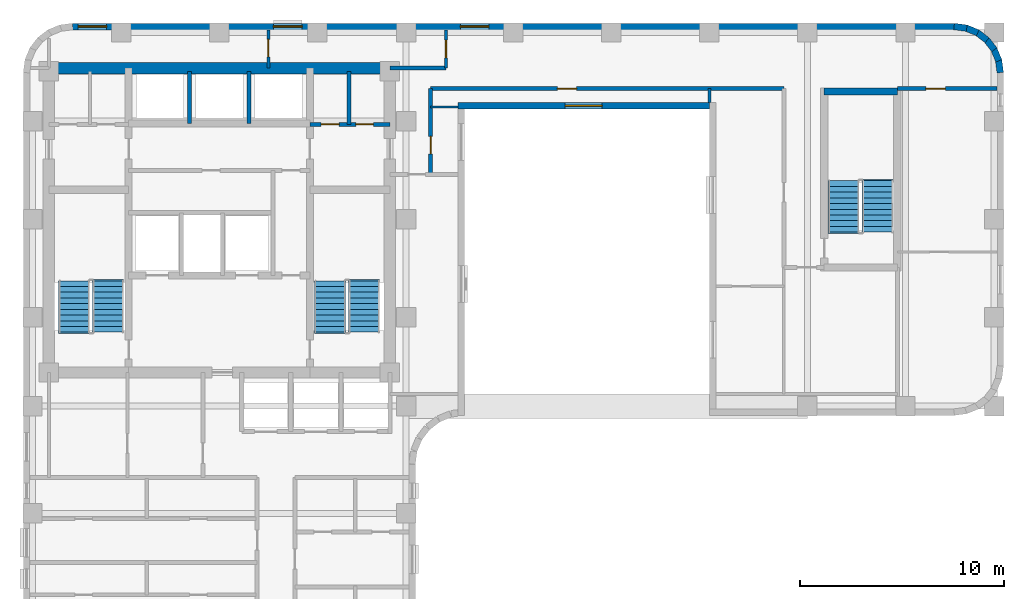
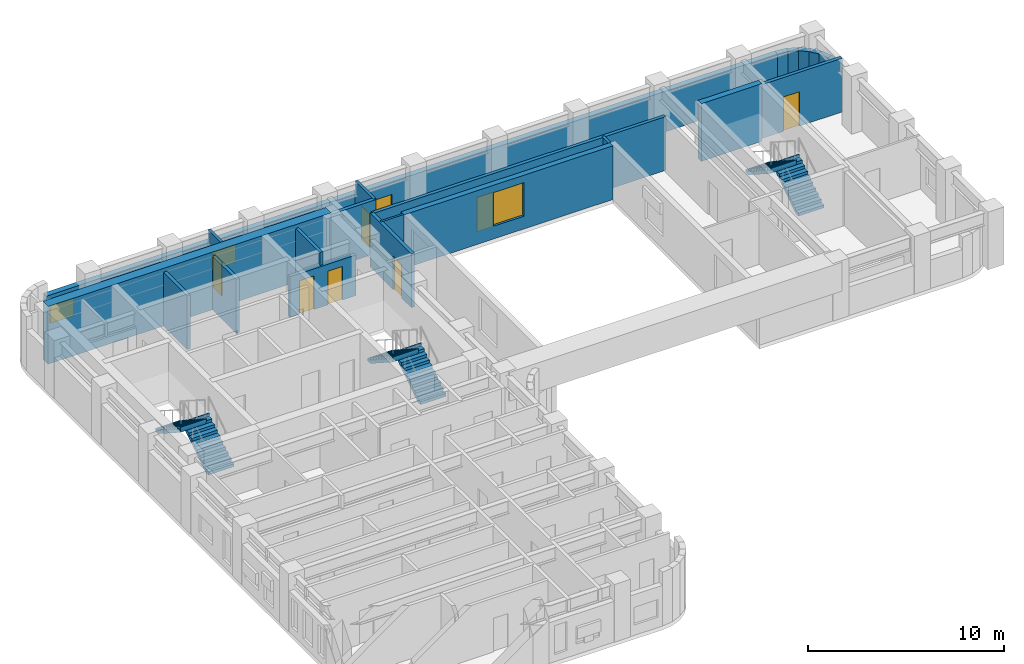
# One storey, part 6 of 8: 22 walls, 7 doors, 6 stair flights, 4 windows, 11 openings, 3 elements without a shape of their own.
"""IFC4 building model written with IfcOpenShell, lengths in metres."""

from ifc_helpers import new_model, si_unit, direction, frame, frame_2d, origin, place, context, subcontext, project, spatial, polyline, rectangle, outline, extrude, material, layer, layer_set, type_object, element, fill, aggregate, save


model = new_model("IFC4")

# Units and contexts
model_context = context("Model", 3, precision=1e-05, world=origin(), true_north=direction((0.0, 1.0)))
body_context = subcontext(model_context, "Body", "Model", "MODEL_VIEW")
ifc_project = project(units=[si_unit("LENGTHUNIT", "METRE"), si_unit("AREAUNIT", "SQUARE_METRE"), si_unit("VOLUMEUNIT", "CUBIC_METRE"), si_unit("PLANEANGLEUNIT", "RADIAN"), si_unit("MASSUNIT", "GRAM", prefix="KILO")], contexts=[model_context])

# Site, building, storey
site_placement = place(None, origin())
site = spatial("IfcSite", under=ifc_project, at=site_placement, CompositionType="ELEMENT")
building_placement = place(site_placement, origin())
building = spatial("IfcBuilding", under=site, at=building_placement, Name="Orvandelia Arch Residences", CompositionType="ELEMENT")
storey_placement = place(building_placement, frame((0.0, 0.0, 107.199951171875)))
storey = spatial("IfcBuildingStorey", under=building, at=storey_placement, Name="L27", CompositionType="ELEMENT", Elevation=107.199951171875)

# Walls
ifc_material_1 = material(Name="Concrete C50/60", Category="concrete")
ifc_layer_1 = layer(ifc_material_1, 0.35009765625, Name="Concrete C50/60", Category="concrete")
ifc_layer_set_1 = layer_set([ifc_layer_1], Name="Concrete C50/60")
wall_type_1 = type_object("IfcWallType", Name="WL-CORE-350", PredefinedType="SHEAR", material=ifc_layer_set_1)
wall_1_placement = place(storey_placement, frame((44.02001953125, 44.659912109375, 0.0), z_axis=(0.0, 0.0, 1.0), x_axis=(1.0, 0.0, 0.0)))
element("IfcWall", 1, at=wall_1_placement, inside=storey, type_object=wall_type_1, Name="East Stair Core Shear Wall L27-N", PredefinedType="SHEAR", context=body_context, shape_type="SweptSolid", body=[
    extrude(rectangle(XDim=3.580078125, YDim=0.35009765625, at=frame_2d((1.7900390625, 0.0))), origin(), (0.0, 0.0, 1.0), 3.60009765625),
])
ifc_material_2 = material(Name="Concrete C60/75", Category="concrete")
ifc_layer_2 = layer(ifc_material_2, 0.550048828125, Name="Concrete C60/75", Category="concrete")
ifc_layer_set_2 = layer_set([ifc_layer_2], Name="Concrete C60/75")
wall_type_2 = type_object("IfcWallType", Name="WL-CORE-550", PredefinedType="SHEAR", material=ifc_layer_set_2)
wall_2_placement = place(storey_placement, frame((6.050048828125, 45.800048828125, 0.0), z_axis=(0.0, 0.0, 1.0), x_axis=(1.0, 0.0, 0.0)))
element("IfcWall", 2, at=wall_2_placement, inside=storey, type_object=wall_type_2, Name="Core Shear Wall L27-N", PredefinedType="SHEAR", context=body_context, shape_type="SweptSolid", body=[
    extrude(rectangle(XDim=16.699951171875, YDim=0.550048828125, at=frame_2d((8.35009765625, 0.0))), origin(), (0.0, 0.0, 1.0), 3.60009765625),
])
ifc_material_3 = material(Name="Fire-Rated Corridor Partition")
ifc_layer_3 = layer(ifc_material_3, 0.199951171875, Name="Fire-Rated Corridor Partition")
ifc_layer_set_3 = layer_set([ifc_layer_3], Name="Fire-Rated Corridor Partition")
wall_type_3 = type_object("IfcWallType", Name="WL-CORR-200", PredefinedType="PARTITIONING", material=ifc_layer_set_3)
wall_3_placement = place(storey_placement, frame((22.75, 45.800048828125, 0.0), z_axis=(0.0, 0.0, 1.0), x_axis=(1.0, 0.0, 0.0)))
element("IfcWall", 3, at=wall_3_placement, inside=storey, type_object=wall_type_3, Name="Interior Partition Wall WL-L27-NCE-S", PredefinedType="PARTITIONING", context=body_context, shape_type="SweptSolid", body=[
    extrude(rectangle(XDim=2.75, YDim=0.199951171875, at=frame_2d((1.375, 0.0))), origin(), (0.0, 0.0, 1.0), 3.360107421875),
])

# Wall, opening, door
wall_4_placement = place(storey_placement, frame((24.75, 44.800048828125, 0.0), z_axis=(0.0, 0.0, 1.0), x_axis=(1.0, 0.0, 0.0)))
wall_4 = element("IfcWall", 4, at=wall_4_placement, inside=storey, type_object=wall_type_3, Name="Interior Partition Wall WL-L27-ENP-S1", PredefinedType="PARTITIONING", context=body_context, shape_type="SweptSolid", body=[
    extrude(rectangle(XDim=17.300048828125, YDim=0.199951171875, at=frame_2d((8.64990234375, 0.0))), origin(), (0.0, 0.0, 1.0), 3.360107421875),
])
opening_1_placement = place(wall_4_placement, frame((6.199951171875, 0.0, 0.0)))
opening_1 = element("IfcOpeningElement", 5, at=opening_1_placement, cuts=wall_4, Name="Opening D2", PredefinedType="OPENING", context=body_context, shape_type="SweptSolid", body=[
    extrude(rectangle(XDim=0.949951171875, YDim=2.14990234375, at=frame_2d((0.47509765625, 1.074951171875))), frame((0.0, 0.10986328125, 0.0), z_axis=(0.0, -1.0, 0.0), x_axis=(1.0, 0.0, 0.0)), (0.0, 0.0, 1.0), 0.219970703125),
])
ifc_material_4 = material(Name="Solid-Core Timber Interior Fire Door", Category="wood")
door_type_1 = type_object("IfcDoorType", Name="DR-APT-950", OperationType="NOTDEFINED", PredefinedType="DOOR", material=ifc_material_4)
door_1_placement = place(opening_1_placement, origin())
door_1 = element("IfcDoor", 6, at=door_1_placement, inside=storey, type_object=door_type_1, Name="DR-L27-VPBRG", OperationType="SINGLE_SWING_LEFT", OverallHeight=2.14990234375, OverallWidth=0.949951171875, PredefinedType="DOOR", context=body_context, shape_type="SweptSolid", body=[
    extrude(rectangle(XDim=0.949951171875, YDim=2.14990234375, at=frame_2d((0.47509765625, 1.074951171875))), frame((0.0, 0.02490234375, 0.0), z_axis=(0.0, -1.0, 0.0), x_axis=(1.0, 0.0, 0.0)), (0.0, 0.0, 1.0), 0.050048828125),
])
fill(opening_1, door_1)

wall_5_placement = place(storey_placement, frame((47.60009765625, 44.800048828125, 0.0), z_axis=(0.0, 0.0, 1.0), x_axis=(1.0, 0.0, 0.0)))
wall_5 = element("IfcWall", 7, at=wall_5_placement, inside=storey, type_object=wall_type_3, Name="Interior Partition Wall WL-L27-ENP-S2", PredefinedType="PARTITIONING", context=body_context, shape_type="SweptSolid", body=[
    extrude(rectangle(XDim=4.8798828125, YDim=0.199951171875, at=frame_2d((2.43994140625, 0.0))), origin(), (0.0, 0.0, 1.0), 3.360107421875),
])
opening_2_placement = place(wall_5_placement, frame((1.39990234375, 0.0, 0.0)))
opening_2 = element("IfcOpeningElement", 8, at=opening_2_placement, cuts=wall_5, Name="Opening D2", PredefinedType="OPENING", context=body_context, shape_type="SweptSolid", body=[
    extrude(rectangle(XDim=0.949951171875, YDim=2.14990234375, at=frame_2d((0.47509765625, 1.074951171875))), frame((0.0, 0.10986328125, 0.0), z_axis=(0.0, -1.0, 0.0), x_axis=(1.0, 0.0, 0.0)), (0.0, 0.0, 1.0), 0.219970703125),
])
door_2_placement = place(opening_2_placement, origin())
door_2 = element("IfcDoor", 9, at=door_2_placement, inside=storey, type_object=door_type_1, Name="DR-L27-VPET1", OperationType="SINGLE_SWING_LEFT", OverallHeight=2.14990234375, OverallWidth=0.949951171875, PredefinedType="DOOR", context=body_context, shape_type="SweptSolid", body=[
    extrude(rectangle(XDim=0.949951171875, YDim=2.14990234375, at=frame_2d((0.47509765625, 1.074951171875))), frame((0.0, 0.02490234375, 0.0), z_axis=(0.0, -1.0, 0.0), x_axis=(1.0, 0.0, 0.0)), (0.0, 0.0, 1.0), 0.050048828125),
])
fill(opening_2, door_2)

wall_6_placement = place(storey_placement, frame((24.75, 40.60009765625, 0.0), z_axis=(0.0, 0.0, 1.0), x_axis=(0.0, 1.0, 0.0)))
wall_6 = element("IfcWall", 10, at=wall_6_placement, inside=storey, type_object=wall_type_3, Name="Interior Partition Wall WL-L27-ENP-LW", PredefinedType="PARTITIONING", context=body_context, shape_type="SweptSolid", body=[
    extrude(rectangle(XDim=4.199951171875, YDim=0.199951171875, at=frame_2d((2.10009765625, 0.0))), origin(), (0.0, 0.0, 1.0), 3.360107421875),
])
opening_3_placement = place(wall_6_placement, frame((1.0, 0.0, 0.0)))
opening_3 = element("IfcOpeningElement", 11, at=opening_3_placement, cuts=wall_6, Name="Opening D4", PredefinedType="OPENING", context=body_context, shape_type="SweptSolid", body=[
    extrude(rectangle(XDim=0.860107421875, YDim=2.10009765625, at=frame_2d((0.43017578125, 1.050048828125))), frame((0.0, 0.10986328125, 0.0), z_axis=(0.0, -1.0, 0.0), x_axis=(1.0, 0.0, 0.0)), (0.0, 0.0, 1.0), 0.219970703125),
])
ifc_material_5 = material(Name="Moisture-Sealed Timber Bathroom Door", Category="wood")
door_type_2 = type_object("IfcDoorType", Name="DR-WET-900", OperationType="NOTDEFINED", PredefinedType="DOOR", material=ifc_material_5)
door_3_placement = place(opening_3_placement, origin())
door_3 = element("IfcDoor", 12, at=door_3_placement, inside=storey, type_object=door_type_2, Name="DR-L27-VPWNK", OperationType="SINGLE_SWING_RIGHT", OverallHeight=2.10009765625, OverallWidth=0.860107421875, PredefinedType="DOOR", context=body_context, shape_type="SweptSolid", body=[
    extrude(rectangle(XDim=0.860107421875, YDim=2.10009765625, at=frame_2d((0.43017578125, 1.050048828125))), frame((0.0, 0.02490234375, 0.0), z_axis=(0.0, -1.0, 0.0), x_axis=(1.0, 0.0, 0.0)), (0.0, 0.0, 1.0), 0.050048828125),
])
fill(opening_3, door_3)

# Wall, openings, windows
ifc_material_6 = material(Name="Precast concrete C40/50", Category="concrete")
ifc_layer_4 = layer(ifc_material_6, 0.320068359375, Name="Precast concrete C40/50", Category="concrete")
ifc_layer_set_4 = layer_set([ifc_layer_4], Name="Precast concrete C40/50")
wall_type_4 = type_object("IfcWallType", Name="WL-EXT-STONE-320", PredefinedType="STANDARD", material=ifc_layer_set_4)
wall_7_placement = place(storey_placement, frame((7.199951171875, 47.840087890625, 0.0), z_axis=(0.0, 0.0, 1.0), x_axis=(1.0, 0.0, 0.0)))
wall_7 = element("IfcWall", 13, at=wall_7_placement, inside=storey, type_object=wall_type_4, Name="Coral-Limestone Precast Facade Wall L27-007", PredefinedType="STANDARD", context=body_context, shape_type="SweptSolid", body=[
    extrude(rectangle(XDim=43.199951171875, YDim=0.320068359375, at=frame_2d((21.60009765625, 0.0))), origin(), (0.0, 0.0, 1.0), 2.5400390625),
])
opening_4_placement = place(wall_7_placement, frame((19.00244140625, 0.0, 0.64990234375)))
opening_4 = element("IfcOpeningElement", 14, at=opening_4_placement, cuts=wall_7, Name="Opening W10", PredefinedType="OPENING", context=body_context, shape_type="SweptSolid", body=[
    extrude(rectangle(XDim=1.39990234375, YDim=1.10009765625, at=frame_2d((0.699951171875, 0.550048828125))), frame((0.0, 0.169921875, 0.0), z_axis=(0.0, -1.0, 0.0), x_axis=(1.0, 0.0, 0.0)), (0.0, 0.0, 1.0), 0.340087890625),
])
opening_5_placement = place(wall_7_placement, frame((0.282470703125, 0.0, 0.64990234375)))
opening_5 = element("IfcOpeningElement", 15, at=opening_5_placement, cuts=wall_7, Name="Opening W10", PredefinedType="OPENING", context=body_context, shape_type="SweptSolid", body=[
    extrude(rectangle(XDim=1.39990234375, YDim=1.10009765625, at=frame_2d((0.699951171875, 0.550048828125))), frame((0.0, 0.169921875, 0.0), z_axis=(0.0, -1.0, 0.0), x_axis=(1.0, 0.0, 0.0)), (0.0, 0.0, 1.0), 0.340087890625),
])
opening_6_placement = place(wall_7_placement, frame((9.8525390625, 0.0, 0.64990234375)))
opening_6 = element("IfcOpeningElement", 16, at=opening_6_placement, cuts=wall_7, Name="Opening W10", PredefinedType="OPENING", context=body_context, shape_type="SweptSolid", body=[
    extrude(rectangle(XDim=1.39990234375, YDim=1.10009765625, at=frame_2d((0.699951171875, 0.550048828125))), frame((0.0, 0.169921875, 0.0), z_axis=(0.0, -1.0, 0.0), x_axis=(1.0, 0.0, 0.0)), (0.0, 0.0, 1.0), 0.340087890625),
])
ifc_material_7 = material(Name="Tempered Low-E Insulated Glazing", Category="glass")
window_type_1 = type_object("IfcWindowType", Name="WIN-CLR-1400x1100", PartitioningType="SINGLE_PANEL", PredefinedType="WINDOW", material=ifc_material_7)
window_1_placement = place(opening_4_placement, origin())
window_1 = element("IfcWindow", 17, at=window_1_placement, inside=storey, type_object=window_type_1, Name="Recessed Punched Window L27-001", OverallHeight=1.10009765625, OverallWidth=1.39990234375, PartitioningType="SINGLE_PANEL", PredefinedType="WINDOW", context=body_context, shape_type="SweptSolid", body=[
    extrude(rectangle(XDim=1.39990234375, YDim=1.10009765625, at=frame_2d((0.699951171875, 0.550048828125))), frame((0.0, 0.030029296875, 0.0), z_axis=(0.0, -1.0, 0.0), x_axis=(1.0, 0.0, 0.0)), (0.0, 0.0, 1.0), 0.06005859375),
])
fill(opening_4, window_1)
window_2_placement = place(opening_5_placement, origin())
window_2 = element("IfcWindow", 18, at=window_2_placement, inside=storey, type_object=window_type_1, Name="Recessed Punched Window L27-002", OverallHeight=1.10009765625, OverallWidth=1.39990234375, PartitioningType="SINGLE_PANEL", PredefinedType="WINDOW", context=body_context, shape_type="SweptSolid", body=[
    extrude(rectangle(XDim=1.39990234375, YDim=1.10009765625, at=frame_2d((0.699951171875, 0.550048828125))), frame((0.0, 0.030029296875, 0.0), z_axis=(0.0, -1.0, 0.0), x_axis=(1.0, 0.0, 0.0)), (0.0, 0.0, 1.0), 0.06005859375),
])
fill(opening_5, window_2)
window_3_placement = place(opening_6_placement, origin())
window_3 = element("IfcWindow", 19, at=window_3_placement, inside=storey, type_object=window_type_1, Name="Recessed Punched Window L27-003", OverallHeight=1.10009765625, OverallWidth=1.39990234375, PartitioningType="SINGLE_PANEL", PredefinedType="WINDOW", context=body_context, shape_type="SweptSolid", body=[
    extrude(rectangle(XDim=1.39990234375, YDim=1.10009765625, at=frame_2d((0.699951171875, 0.550048828125))), frame((0.0, 0.030029296875, 0.0), z_axis=(0.0, -1.0, 0.0), x_axis=(1.0, 0.0, 0.0)), (0.0, 0.0, 1.0), 0.06005859375),
])
fill(opening_6, window_3)

# Walls
for number, where, z_axis, x_axis, name in (
    (20, (50.379150390625, 47.84130859375, 0.0), (0.0, 0.0, 1.0), (0.9914410257, -0.130555323746, 0.0), "Coral-Limestone Precast Facade Wall L27-008"),
    (21, (50.9599609375, 47.7705078125, 0.0), (0.0, 0.0, 1.0), (0.92389335771, -0.382650053678, 0.0), "Coral-Limestone Precast Facade Wall L27-009"),
    (22, (51.502685546875, 47.551513671875, 0.0), (0.0, 0.0, 1.0), (0.793405610854, -0.608693302629, 0.0), "Coral-Limestone Precast Facade Wall L27-010"),
    (23, (51.97021484375, 47.19970703125, 0.0), (0.0, 0.0, 1.0), (0.608693302629, -0.793405610854, 0.0), "Coral-Limestone Precast Facade Wall L27-011"),
    (24, (52.330810546875, 46.73876953125, 0.0), (0.0, 0.0, 1.0), (0.382317370307, -0.924031075431, 0.0), "Coral-Limestone Precast Facade Wall L27-012"),
    (25, (52.5595703125, 46.2001953125, 0.0), (0.0, 0.0, 1.0), (0.130555323746, -0.9914410257, 0.0), "Coral-Limestone Precast Facade Wall L27-013"),
):
    element("IfcWall", number, at=place(storey_placement, frame(where, z_axis=z_axis, x_axis=x_axis)), inside=storey, type_object=wall_type_4, Name=name, PredefinedType="STANDARD", context=body_context, shape_type="SweptSolid", body=[
        extrude(rectangle(XDim=0.62646484375, YDim=0.320068359375, at=frame_2d((0.313232421875, 0.0))), origin(), (0.0, 0.0, 1.0), 2.5400390625),
    ])

# Wall, opening, window
wall_8_placement = place(storey_placement, frame((38.39990234375, 43.9599609375, 0.0), z_axis=(0.0, 0.0, 1.0), x_axis=(-1.0, 0.0, 0.0)))
wall_8 = element("IfcWall", 26, at=wall_8_placement, inside=storey, type_object=wall_type_4, Name="Coral-Limestone Precast Facade Wall L27-023", PredefinedType="STANDARD", context=body_context, shape_type="SweptSolid", body=[
    extrude(rectangle(XDim=12.31982421875, YDim=0.320068359375, at=frame_2d((6.159912109375, 0.0))), origin(), (0.0, 0.0, 1.0), 3.360107421875),
])
opening_7_placement = place(wall_8_placement, frame((5.260009765625, 0.0, 0.800048828125)))
opening_7 = element("IfcOpeningElement", 27, at=opening_7_placement, cuts=wall_8, Name="Opening W1", PredefinedType="OPENING", context=body_context, shape_type="SweptSolid", body=[
    extrude(rectangle(XDim=1.800048828125, YDim=2.10009765625, at=frame_2d((0.89990234375, 1.050048828125))), frame((0.0, 0.169921875, 0.0), z_axis=(0.0, -1.0, 0.0), x_axis=(1.0, 0.0, 0.0)), (0.0, 0.0, 1.0), 0.340087890625),
])
window_type_2 = type_object("IfcWindowType", Name="WIN-RES-1800x2100", PartitioningType="SINGLE_PANEL", PredefinedType="WINDOW", material=ifc_material_7)
window_4_placement = place(opening_7_placement, origin())
window_4 = element("IfcWindow", 28, at=window_4_placement, inside=storey, type_object=window_type_2, Name="Recessed Punched Window L27-008", OverallHeight=2.10009765625, OverallWidth=1.800048828125, PartitioningType="SINGLE_PANEL", PredefinedType="WINDOW", context=body_context, shape_type="SweptSolid", body=[
    extrude(rectangle(XDim=1.800048828125, YDim=2.10009765625, at=frame_2d((0.89990234375, 1.050048828125))), frame((0.0, 0.030029296875, 0.0), z_axis=(0.0, -1.0, 0.0), x_axis=(1.0, 0.0, 0.0)), (0.0, 0.0, 1.0), 0.06005859375),
])
fill(opening_7, window_4)

# Wall
ifc_material_8 = material(Name="Lightweight Gypsum Stud Partition")
ifc_layer_5 = layer(ifc_material_8, 0.1201171875, Name="Lightweight Gypsum Stud Partition")
ifc_layer_set_5 = layer_set([ifc_layer_5], Name="Lightweight Gypsum Stud Partition")
wall_type_5 = type_object("IfcWallType", Name="WL-PART-120", PredefinedType="PARTITIONING", material=ifc_layer_set_5)
wall_9_placement = place(storey_placement, frame((24.75, 43.89990234375, 0.0), z_axis=(0.0, 0.0, 1.0), x_axis=(1.0, 0.0, 0.0)))
element("IfcWall", 29, at=wall_9_placement, inside=storey, type_object=wall_type_5, Name="Interior Partition Wall WL-L27-VPWNK-N", PredefinedType="PARTITIONING", context=body_context, shape_type="SweptSolid", body=[
    extrude(rectangle(XDim=1.330078125, YDim=0.1201171875, at=frame_2d((0.6650390625, 0.0))), origin(), (0.0, 0.0, 1.0), 3.360107421875),
])

# Wall, opening, door
ifc_material_9 = material(Name="Acoustic Gypsum Stud Partition")
ifc_layer_6 = layer(ifc_material_9, 0.14990234375, Name="Acoustic Gypsum Stud Partition")
ifc_layer_set_6 = layer_set([ifc_layer_6], Name="Acoustic Gypsum Stud Partition")
wall_type_6 = type_object("IfcWallType", Name="WL-PART-150", PredefinedType="PARTITIONING", material=ifc_layer_set_6)
wall_10_placement = place(storey_placement, frame((25.5, 45.800048828125, 0.0), z_axis=(0.0, 0.0, 1.0), x_axis=(0.0, 1.0, 0.0)))
wall_10 = element("IfcWall", 30, at=wall_10_placement, inside=storey, type_object=wall_type_6, Name="Interior Partition Wall WL-L27-NCE-W", PredefinedType="PARTITIONING", context=body_context, shape_type="SweptSolid", body=[
    extrude(rectangle(XDim=1.8798828125, YDim=0.14990234375, at=frame_2d((0.93994140625, 0.0))), origin(), (0.0, 0.0, 1.0), 3.360107421875),
])
opening_8_placement = place(wall_10_placement, frame((0.5, 0.0, 0.0)))
opening_8 = element("IfcOpeningElement", 31, at=opening_8_placement, cuts=wall_10, Name="Opening D5", PredefinedType="OPENING", context=body_context, shape_type="SweptSolid", body=[
    extrude(rectangle(XDim=0.8798828125, YDim=2.10009765625, at=frame_2d((0.43994140625, 1.050048828125))), frame((0.0, 0.0849609375, 0.0), z_axis=(0.0, -1.0, 0.0), x_axis=(1.0, 0.0, 0.0)), (0.0, 0.0, 1.0), 0.169921875),
])
ifc_material_10 = material(Name="Painted Galvanised Steel Service Door", Category="steel")
door_type_3 = type_object("IfcDoorType", Name="DR-SRV-880", OperationType="NOTDEFINED", PredefinedType="DOOR", material=ifc_material_10)
door_4_placement = place(opening_8_placement, origin())
door_4 = element("IfcDoor", 32, at=door_4_placement, inside=storey, type_object=door_type_3, Name="DR-L27-NCS2", OperationType="SINGLE_SWING_LEFT", OverallHeight=2.10009765625, OverallWidth=0.8798828125, PredefinedType="DOOR", context=body_context, shape_type="SweptSolid", body=[
    extrude(rectangle(XDim=0.8798828125, YDim=2.10009765625, at=frame_2d((0.43994140625, 1.050048828125))), frame((0.0, 0.02490234375, 0.0), z_axis=(0.0, -1.0, 0.0), x_axis=(1.0, 0.0, 0.0)), (0.0, 0.0, 1.0), 0.050048828125),
])
fill(opening_8, door_4)

wall_11_placement = place(storey_placement, frame((16.800048828125, 45.800048828125, 0.0), z_axis=(0.0, 0.0, 1.0), x_axis=(0.0, 1.0, 0.0)))
wall_11 = element("IfcWall", 33, at=wall_11_placement, inside=storey, type_object=wall_type_6, Name="Interior Partition Wall WL-L27-NC-M", PredefinedType="PARTITIONING", context=body_context, shape_type="SweptSolid", body=[
    extrude(rectangle(XDim=1.8798828125, YDim=0.14990234375, at=frame_2d((0.93994140625, 0.0))), origin(), (0.0, 0.0, 1.0), 3.360107421875),
])
opening_9_placement = place(wall_11_placement, frame((0.550048828125, 0.0, 0.0)))
opening_9 = element("IfcOpeningElement", 34, at=opening_9_placement, cuts=wall_11, Name="Opening D4", PredefinedType="OPENING", context=body_context, shape_type="SweptSolid", body=[
    extrude(rectangle(XDim=0.860107421875, YDim=2.10009765625, at=frame_2d((0.43017578125, 1.050048828125))), frame((0.0, 0.0849609375, 0.0), z_axis=(0.0, -1.0, 0.0), x_axis=(1.0, 0.0, 0.0)), (0.0, 0.0, 1.0), 0.169921875),
])
door_5_placement = place(opening_9_placement, origin())
door_5 = element("IfcDoor", 35, at=door_5_placement, inside=storey, type_object=door_type_2, Name="DR-L27-NCS1", OperationType="SINGLE_SWING_LEFT", OverallHeight=2.10009765625, OverallWidth=0.860107421875, PredefinedType="DOOR", context=body_context, shape_type="SweptSolid", body=[
    extrude(rectangle(XDim=0.860107421875, YDim=2.10009765625, at=frame_2d((0.43017578125, 1.050048828125))), frame((0.0, 0.02490234375, 0.0), z_axis=(0.0, -1.0, 0.0), x_axis=(1.0, 0.0, 0.0)), (0.0, 0.0, 1.0), 0.050048828125),
])
fill(opening_9, door_5)

# Wall
wall_12_placement = place(storey_placement, frame((38.39990234375, 44.1201171875, 0.0), z_axis=(0.0, 0.0, 1.0), x_axis=(0.0, 1.0, 0.0)))
element("IfcWall", 36, at=wall_12_placement, inside=storey, type_object=wall_type_6, Name="Interior Partition Wall WL-L27-VPBRG-E", PredefinedType="PARTITIONING", context=body_context, shape_type="SweptSolid", body=[
    extrude(rectangle(XDim=0.679931640625, YDim=0.14990234375, at=frame_2d((0.33984375, 0.0))), origin(), (0.0, 0.0, 1.0), 3.360107421875),
])

# Wall, openings, doors
ifc_material_11 = material(Name="Fire-Rated Shaft Enclosure Wall")
ifc_layer_7 = layer(ifc_material_11, 0.199951171875, Name="Fire-Rated Shaft Enclosure Wall")
ifc_layer_set_7 = layer_set([ifc_layer_7], Name="Fire-Rated Shaft Enclosure Wall")
wall_type_7 = type_object("IfcWallType", Name="WL-SHAFT-200", PredefinedType="POLYGONAL", material=ifc_layer_set_7)
wall_13_placement = place(storey_placement, frame((18.840087890625, 43.050048828125, 0.0), z_axis=(0.0, 0.0, 1.0), x_axis=(1.0, 0.0, 0.0)))
wall_13 = element("IfcWall", 37, at=wall_13_placement, inside=storey, type_object=wall_type_7, Name="Interior Partition Wall WL-L27-HLE-N", PredefinedType="POLYGONAL", context=body_context, shape_type="SweptSolid", body=[
    extrude(rectangle(XDim=3.909912109375, YDim=0.199951171875, at=frame_2d((1.955078125, 0.0))), origin(), (0.0, 0.0, 1.0), 2.5400390625),
])
opening_10_placement = place(wall_13_placement, frame((0.550048828125, 0.0, 0.0)))
opening_10 = element("IfcOpeningElement", 38, at=opening_10_placement, cuts=wall_13, Name="Opening D5", PredefinedType="OPENING", context=body_context, shape_type="SweptSolid", body=[
    extrude(rectangle(XDim=0.8798828125, YDim=2.10009765625, at=frame_2d((0.43994140625, 1.050048828125))), frame((0.0, 0.10986328125, 0.0), z_axis=(0.0, -1.0, 0.0), x_axis=(1.0, 0.0, 0.0)), (0.0, 0.0, 1.0), 0.219970703125),
])
opening_11_placement = place(wall_13_placement, frame((2.25, 0.0, 0.0)))
opening_11 = element("IfcOpeningElement", 39, at=opening_11_placement, cuts=wall_13, Name="Opening D4", PredefinedType="OPENING", context=body_context, shape_type="SweptSolid", body=[
    extrude(rectangle(XDim=0.860107421875, YDim=2.10009765625, at=frame_2d((0.43017578125, 1.050048828125))), frame((0.0, 0.10986328125, 0.0), z_axis=(0.0, -1.0, 0.0), x_axis=(1.0, 0.0, 0.0)), (0.0, 0.0, 1.0), 0.219970703125),
])
door_6_placement = place(opening_10_placement, origin())
door_6 = element("IfcDoor", 40, at=door_6_placement, inside=storey, type_object=door_type_3, Name="DR-L27-CSB1", OperationType="SINGLE_SWING_LEFT", OverallHeight=2.10009765625, OverallWidth=0.8798828125, PredefinedType="DOOR", context=body_context, shape_type="SweptSolid", body=[
    extrude(rectangle(XDim=0.8798828125, YDim=2.10009765625, at=frame_2d((0.43994140625, 1.050048828125))), frame((0.0, 0.02490234375, 0.0), z_axis=(0.0, -1.0, 0.0), x_axis=(1.0, 0.0, 0.0)), (0.0, 0.0, 1.0), 0.050048828125),
])
fill(opening_10, door_6)
door_7_placement = place(opening_11_placement, origin())
door_7 = element("IfcDoor", 41, at=door_7_placement, inside=storey, type_object=door_type_2, Name="DR-L27-CSB2", OperationType="SINGLE_SWING_RIGHT", OverallHeight=2.10009765625, OverallWidth=0.860107421875, PredefinedType="DOOR", context=body_context, shape_type="SweptSolid", body=[
    extrude(rectangle(XDim=0.860107421875, YDim=2.10009765625, at=frame_2d((0.43017578125, 1.050048828125))), frame((0.0, 0.02490234375, 0.0), z_axis=(0.0, -1.0, 0.0), x_axis=(1.0, 0.0, 0.0)), (0.0, 0.0, 1.0), 0.050048828125),
])
fill(opening_11, door_7)

# Walls
for number, where, z_axis, x_axis, name in (
    (42, (12.949951171875, 43.10009765625, 0.0), (0.0, 0.0, 1.0), (0.0, 1.0, 0.0), "Interior Partition Wall WL-L27-PHD1"),
    (43, (15.85009765625, 43.10009765625, 0.0), (0.0, 0.0, 1.0), (0.0, 1.0, 0.0), "Interior Partition Wall WL-L27-PHD2"),
):
    element("IfcWall", number, at=place(storey_placement, frame(where, z_axis=z_axis, x_axis=x_axis)), inside=storey, type_object=wall_type_7, Name=name, PredefinedType="POLYGONAL", context=body_context, shape_type="SweptSolid", body=[
        extrude(rectangle(XDim=2.5498046875, YDim=0.199951171875, at=frame_2d((1.27490234375, 0.0))), origin(), (0.0, 0.0, 1.0), 3.360107421875),
    ])
ifc_material_12 = material(Name="Moisture-Resistant Plumbing Wall")
ifc_layer_8 = layer(ifc_material_12, 0.179931640625, Name="Moisture-Resistant Plumbing Wall")
ifc_layer_set_8 = layer_set([ifc_layer_8], Name="Moisture-Resistant Plumbing Wall")
wall_type_8 = type_object("IfcWallType", Name="WL-WET-180", PredefinedType="PLUMBINGWALL", material=ifc_layer_set_8)
wall_14_placement = place(storey_placement, frame((20.75, 43.050048828125, 0.0), z_axis=(0.0, 0.0, 1.0), x_axis=(0.0, 1.0, 0.0)))
element("IfcWall", 44, at=wall_14_placement, inside=storey, type_object=wall_type_8, Name="Interior Partition Wall WL-L27-CSB-1", PredefinedType="PLUMBINGWALL", context=body_context, shape_type="SweptSolid", body=[
    extrude(rectangle(XDim=2.599853515625, YDim=0.179931640625, at=frame_2d((1.2998046875, 0.0))), origin(), (0.0, 0.0, 1.0), 3.360107421875),
])

# Stair, stair flights
ifc_material_13 = material(Name="Concrete C40/50", Category="concrete")
stair_type = type_object("IfcStairType", Name="STAIR-RC-DOGLEG", PredefinedType="HALF_TURN_STAIR", material=ifc_material_13)
stair_1_placement = place(storey_placement, origin())
stair_1 = element("IfcStair", 45, at=stair_1_placement, inside=storey, type_object=stair_type, Name="L27 Protected Exit Stair ST-1", PredefinedType="HALF_TURN_STAIR")
stair_flight_type = type_object("IfcStairFlightType", Name="STFLT-RC-1520", PredefinedType="STRAIGHT", material=ifc_material_13)
stair_flight_1_placement = place(storey_placement, frame((8.9599609375, 32.8701171875, 0.0), z_axis=(0.0, 0.0, 1.0), x_axis=(0.0, 1.0, 0.0)))
stair_flight_1 = element("IfcStairFlight", 46, at=stair_flight_1_placement, type_object=stair_flight_type, Name="ST-1 flight 1", NumberOfRisers=10, NumberOfTreads=9, PredefinedType="STRAIGHT", RiserHeight=0.18, TreadLength=0.28, context=body_context, shape_type="SweptSolid", body=[
    extrude(outline(polyline([(0.0, 0.0), (0.0, 0.179931640625), (0.280029296875, 0.179931640625), (0.280029296875, 0.360107421875), (0.56005859375, 0.360107421875), (0.56005859375, 0.5400390625), (0.840087890625, 0.5400390625), (0.840087890625, 0.719970703125), (1.1201171875, 0.719970703125), (1.1201171875, 0.89990234375), (1.39990234375, 0.89990234375), (1.39990234375, 1.080078125), (1.679931640625, 1.080078125), (1.679931640625, 1.260009765625), (1.9599609375, 1.260009765625), (1.9599609375, 1.43994140625), (2.239990234375, 1.43994140625), (2.239990234375, 1.6201171875), (2.52001953125, 1.6201171875), (2.52001953125, 1.800048828125), (2.580078125, 1.800048828125), (2.580078125, 1.6201171875), (2.52001953125, 1.44189453125), (0.277099609375, 0.0), (0.0, 0.0)])), frame((0.0, 0.760009765625, 0.0), z_axis=(0.0, -1.0, 0.0), x_axis=(1.0, 0.0, 0.0)), (0.0, 0.0, 1.0), 1.52001953125),
])
stair_flight_2_placement = place(storey_placement, frame((7.2900390625, 35.389892578125, 1.800048828125), z_axis=(0.0, 0.0, 1.0), x_axis=(0.0, -1.0, 0.0)))
stair_flight_2 = element("IfcStairFlight", 47, at=stair_flight_2_placement, type_object=stair_flight_type, Name="ST-1 flight 2", NumberOfRisers=10, NumberOfTreads=9, PredefinedType="STRAIGHT", RiserHeight=0.18, TreadLength=0.28, context=body_context, shape_type="SweptSolid", body=[
    extrude(outline(polyline([(0.0, 0.0), (0.0, 0.179931640625), (0.280029296875, 0.179931640625), (0.280029296875, 0.360107421875), (0.56005859375, 0.360107421875), (0.56005859375, 0.5400390625), (0.840087890625, 0.5400390625), (0.840087890625, 0.719970703125), (1.1201171875, 0.719970703125), (1.1201171875, 0.89990234375), (1.39990234375, 0.89990234375), (1.39990234375, 1.080078125), (1.679931640625, 1.080078125), (1.679931640625, 1.260009765625), (1.9599609375, 1.260009765625), (1.9599609375, 1.43994140625), (2.239990234375, 1.43994140625), (2.239990234375, 1.6201171875), (2.52001953125, 1.6201171875), (2.52001953125, 1.800048828125), (2.580078125, 1.800048828125), (2.580078125, 1.6201171875), (2.52001953125, 1.44189453125), (0.277099609375, 0.0), (0.0, 0.0)])), frame((0.0, 0.760009765625, 0.0), z_axis=(0.0, -1.0, 0.0), x_axis=(1.0, 0.0, 0.0)), (0.0, 0.0, 1.0), 1.52001953125),
])
aggregate(stair_1, [stair_flight_1, stair_flight_2])

stair_2_placement = place(storey_placement, origin())
stair_2 = element("IfcStair", 48, at=stair_2_placement, inside=storey, type_object=stair_type, Name="L27 Protected Exit Stair ST-2", PredefinedType="HALF_TURN_STAIR")
stair_flight_3_placement = place(storey_placement, frame((21.489990234375, 32.8701171875, 0.0), z_axis=(0.0, 0.0, 1.0), x_axis=(0.0, 1.0, 0.0)))
stair_flight_3 = element("IfcStairFlight", 49, at=stair_flight_3_placement, type_object=stair_flight_type, Name="ST-2 flight 1", NumberOfRisers=10, NumberOfTreads=9, PredefinedType="STRAIGHT", RiserHeight=0.18, TreadLength=0.28, context=body_context, shape_type="SweptSolid", body=[
    extrude(outline(polyline([(0.0, 0.0), (0.0, 0.179931640625), (0.280029296875, 0.179931640625), (0.280029296875, 0.360107421875), (0.56005859375, 0.360107421875), (0.56005859375, 0.5400390625), (0.840087890625, 0.5400390625), (0.840087890625, 0.719970703125), (1.1201171875, 0.719970703125), (1.1201171875, 0.89990234375), (1.39990234375, 0.89990234375), (1.39990234375, 1.080078125), (1.679931640625, 1.080078125), (1.679931640625, 1.260009765625), (1.9599609375, 1.260009765625), (1.9599609375, 1.43994140625), (2.239990234375, 1.43994140625), (2.239990234375, 1.6201171875), (2.52001953125, 1.6201171875), (2.52001953125, 1.800048828125), (2.580078125, 1.800048828125), (2.580078125, 1.6201171875), (2.52001953125, 1.44189453125), (0.277099609375, 0.0), (0.0, 0.0)])), frame((0.0, 0.760009765625, 0.0), z_axis=(0.0, -1.0, 0.0), x_axis=(1.0, 0.0, 0.0)), (0.0, 0.0, 1.0), 1.52001953125),
])
stair_flight_4_placement = place(storey_placement, frame((19.820068359375, 35.389892578125, 1.800048828125), z_axis=(0.0, 0.0, 1.0), x_axis=(0.0, -1.0, 0.0)))
stair_flight_4 = element("IfcStairFlight", 50, at=stair_flight_4_placement, type_object=stair_flight_type, Name="ST-2 flight 2", NumberOfRisers=10, NumberOfTreads=9, PredefinedType="STRAIGHT", RiserHeight=0.18, TreadLength=0.28, context=body_context, shape_type="SweptSolid", body=[
    extrude(outline(polyline([(0.0, 0.0), (0.0, 0.179931640625), (0.280029296875, 0.179931640625), (0.280029296875, 0.360107421875), (0.56005859375, 0.360107421875), (0.56005859375, 0.5400390625), (0.840087890625, 0.5400390625), (0.840087890625, 0.719970703125), (1.1201171875, 0.719970703125), (1.1201171875, 0.89990234375), (1.39990234375, 0.89990234375), (1.39990234375, 1.080078125), (1.679931640625, 1.080078125), (1.679931640625, 1.260009765625), (1.9599609375, 1.260009765625), (1.9599609375, 1.43994140625), (2.239990234375, 1.43994140625), (2.239990234375, 1.6201171875), (2.52001953125, 1.6201171875), (2.52001953125, 1.800048828125), (2.580078125, 1.800048828125), (2.580078125, 1.6201171875), (2.52001953125, 1.44189453125), (0.277099609375, 0.0), (0.0, 0.0)])), frame((0.0, 0.760009765625, 0.0), z_axis=(0.0, -1.0, 0.0), x_axis=(1.0, 0.0, 0.0)), (0.0, 0.0, 1.0), 1.52001953125),
])
aggregate(stair_2, [stair_flight_3, stair_flight_4])

stair_3_placement = place(storey_placement, origin())
stair_3 = element("IfcStair", 51, at=stair_3_placement, inside=storey, type_object=stair_type, Name="L27 East Wing Exit Stair ST-3", PredefinedType="HALF_TURN_STAIR")
stair_flight_5_placement = place(storey_placement, frame((46.639892578125, 37.77001953125, 0.0), z_axis=(0.0, 0.0, 1.0), x_axis=(0.0, 1.0, 0.0)))
stair_flight_5 = element("IfcStairFlight", 52, at=stair_flight_5_placement, type_object=stair_flight_type, Name="ST-3 flight 1", NumberOfRisers=10, NumberOfTreads=9, PredefinedType="STRAIGHT", RiserHeight=0.18, TreadLength=0.28, context=body_context, shape_type="SweptSolid", body=[
    extrude(outline(polyline([(0.0, 0.0), (0.0, 0.179931640625), (0.280029296875, 0.179931640625), (0.280029296875, 0.360107421875), (0.56005859375, 0.360107421875), (0.56005859375, 0.5400390625), (0.840087890625, 0.5400390625), (0.840087890625, 0.719970703125), (1.1201171875, 0.719970703125), (1.1201171875, 0.89990234375), (1.39990234375, 0.89990234375), (1.39990234375, 1.080078125), (1.679931640625, 1.080078125), (1.679931640625, 1.260009765625), (1.9599609375, 1.260009765625), (1.9599609375, 1.43994140625), (2.239990234375, 1.43994140625), (2.239990234375, 1.6201171875), (2.52001953125, 1.6201171875), (2.52001953125, 1.800048828125), (2.580078125, 1.800048828125), (2.580078125, 1.6201171875), (2.52001953125, 1.44189453125), (0.277099609375, 0.0), (0.0, 0.0)])), frame((0.0, 0.760009765625, 0.0), z_axis=(0.0, -1.0, 0.0), x_axis=(1.0, 0.0, 0.0)), (0.0, 0.0, 1.0), 1.52001953125),
])
stair_flight_6_placement = place(storey_placement, frame((44.969970703125, 40.2900390625, 1.800048828125), z_axis=(0.0, 0.0, 1.0), x_axis=(0.0, -1.0, 0.0)))
stair_flight_6 = element("IfcStairFlight", 53, at=stair_flight_6_placement, type_object=stair_flight_type, Name="ST-3 flight 2", NumberOfRisers=10, NumberOfTreads=9, PredefinedType="STRAIGHT", RiserHeight=0.18, TreadLength=0.28, context=body_context, shape_type="SweptSolid", body=[
    extrude(outline(polyline([(0.0, 0.0), (0.0, 0.179931640625), (0.280029296875, 0.179931640625), (0.280029296875, 0.360107421875), (0.56005859375, 0.360107421875), (0.56005859375, 0.5400390625), (0.840087890625, 0.5400390625), (0.840087890625, 0.719970703125), (1.1201171875, 0.719970703125), (1.1201171875, 0.89990234375), (1.39990234375, 0.89990234375), (1.39990234375, 1.080078125), (1.679931640625, 1.080078125), (1.679931640625, 1.260009765625), (1.9599609375, 1.260009765625), (1.9599609375, 1.43994140625), (2.239990234375, 1.43994140625), (2.239990234375, 1.6201171875), (2.52001953125, 1.6201171875), (2.52001953125, 1.800048828125), (2.580078125, 1.800048828125), (2.580078125, 1.6201171875), (2.52001953125, 1.44189453125), (0.277099609375, 0.0), (0.0, 0.0)])), frame((0.0, 0.760009765625, 0.0), z_axis=(0.0, -1.0, 0.0), x_axis=(1.0, 0.0, 0.0)), (0.0, 0.0, 1.0), 1.52001953125),
])
aggregate(stair_3, [stair_flight_5, stair_flight_6])

save(model, "model.ifc")
